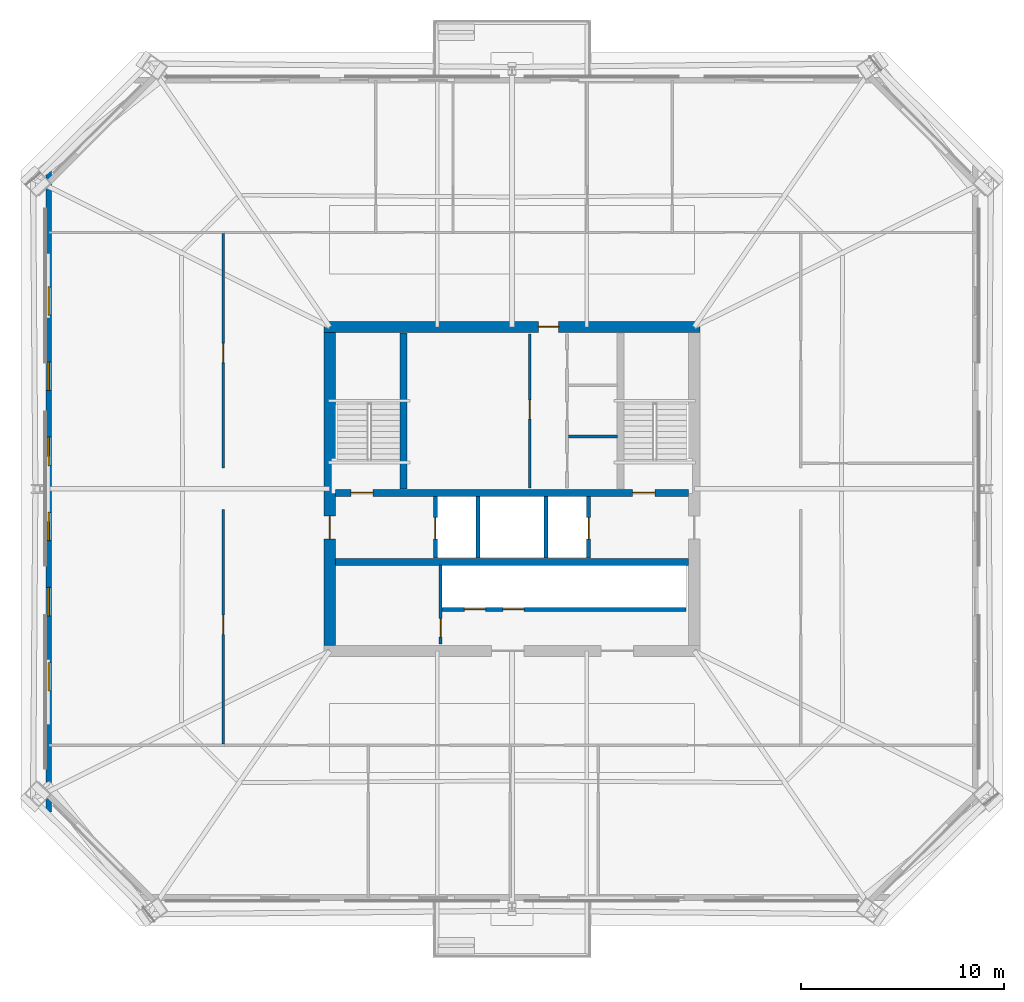
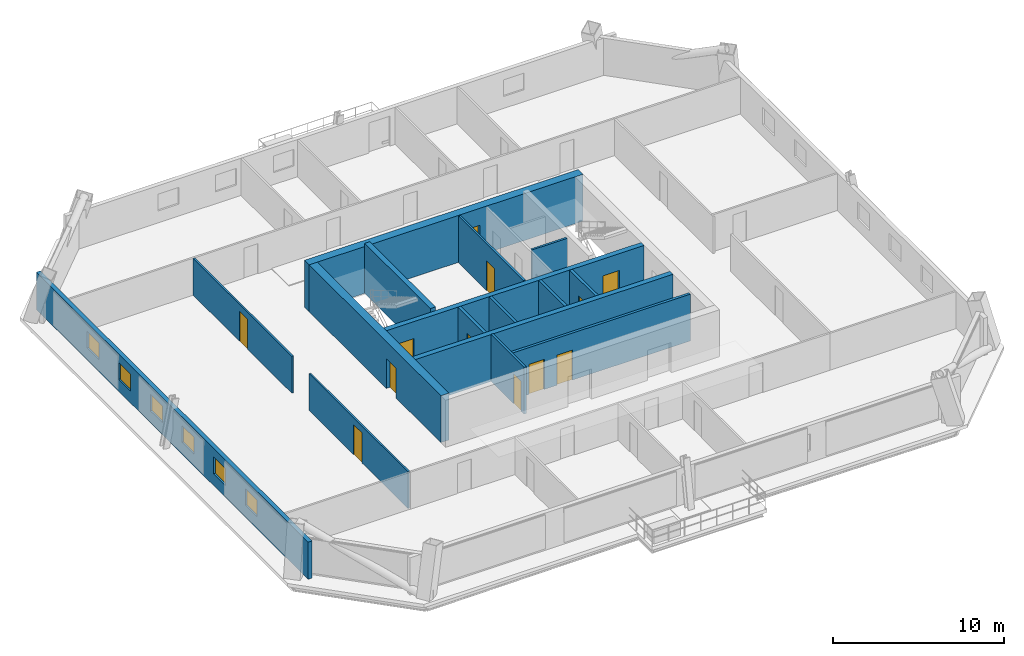
# One storey, part 3 of 7: 16 walls, 12 doors, 6 windows, 18 openings.
"""IFC4 building model written with IfcOpenShell, lengths in metres."""

from ifc_helpers import new_model, si_unit, direction, frame, frame_2d, origin, place, context, subcontext, project, spatial, rectangle, extrude, material, layer, layer_set, type_object, element, fill, save


model = new_model("IFC4")

# Units and contexts
model_context = context("Model", 3, precision=1e-05, world=origin(), true_north=direction((0.0, 1.0)))
body_context = subcontext(model_context, "Body", "Model", "MODEL_VIEW")
ifc_project = project(units=[si_unit("LENGTHUNIT", "METRE"), si_unit("AREAUNIT", "SQUARE_METRE"), si_unit("VOLUMEUNIT", "CUBIC_METRE"), si_unit("PLANEANGLEUNIT", "RADIAN"), si_unit("MASSUNIT", "GRAM", prefix="KILO")], contexts=[model_context])

# Site, building, storey
site_placement = place(None, origin())
site = spatial("IfcSite", under=ifc_project, at=site_placement, CompositionType="ELEMENT")
building_placement = place(site_placement, origin())
building = spatial("IfcBuilding", under=site, at=building_placement, Name="Caelvoria Tower", CompositionType="ELEMENT")
storey_placement = place(building_placement, frame((0.0, 0.0, 113.199951171875)))
storey = spatial("IfcBuildingStorey", under=building, at=storey_placement, Name="L29", CompositionType="ELEMENT", Elevation=113.199951171875)

# Wall, openings, doors
ifc_material_1 = material(Name="Concrete C50/60", Category="concrete")
ifc_layer_1 = layer(ifc_material_1, 0.35009765625, Name="Concrete C50/60")
ifc_layer_set_1 = layer_set([ifc_layer_1], Name="Core Internal Shear Wall 350 - Concrete C50/60")
wall_type_1 = type_object("IfcWallType", Name="Core Internal Shear Wall 350", PredefinedType="SHEAR", material=ifc_layer_set_1)
wall_1_placement = place(storey_placement, frame((37.27490234375, 31.800048828125, 0.0), z_axis=(0.0, 0.0, 1.0), x_axis=(1.0, 0.0, 0.0)))
wall_1 = element("IfcWall", 1, at=wall_1_placement, inside=storey, type_object=wall_type_1, Name="Core Shear Wall L29 M1", PredefinedType="SHEAR", context=body_context, shape_type="SweptSolid", body=[
    extrude(rectangle(XDim=17.4501953125, YDim=0.35009765625, at=frame_2d((8.72509765625, 0.0))), origin(), (0.0, 0.0, 1.0), 3.360107421875),
])
opening_1_placement = place(wall_1_placement, frame((0.77490234375, 0.0, 0.0)))
opening_1 = element("IfcOpeningElement", 2, at=opening_1_placement, cuts=wall_1, Name="Opening ID-01", PredefinedType="OPENING", context=body_context, shape_type="SweptSolid", body=[
    extrude(rectangle(XDim=1.10009765625, YDim=2.14990234375, at=frame_2d((0.550048828125, 1.074951171875))), frame((0.0, 0.18505859375, 0.0), z_axis=(0.0, -1.0, 0.0), x_axis=(1.0, 0.0, 0.0)), (0.0, 0.0, 1.0), 0.3701171875),
])
opening_2_placement = place(wall_1_placement, frame((14.675048828125, 0.0, 0.0)))
opening_2 = element("IfcOpeningElement", 3, at=opening_2_placement, cuts=wall_1, Name="Opening ID-01", PredefinedType="OPENING", context=body_context, shape_type="SweptSolid", body=[
    extrude(rectangle(XDim=1.10009765625, YDim=2.14990234375, at=frame_2d((0.550048828125, 1.074951171875))), frame((0.0, 0.18505859375, 0.0), z_axis=(0.0, -1.0, 0.0), x_axis=(1.0, 0.0, 0.0)), (0.0, 0.0, 1.0), 0.3701171875),
])
ifc_material_2 = material(Name="Painted Hollow Steel Fire Door", Category="steel")
door_type_1 = type_object("IfcDoorType", Name="Fire Door FD90S 1100x2150", OperationType="NOTDEFINED", PredefinedType="DOOR", material=ifc_material_2)
door_1_placement = place(opening_1_placement, origin())
door_1 = element("IfcDoor", 4, at=door_1_placement, inside=storey, type_object=door_type_1, Name="Core Door DR-L29-ST1", OperationType="SINGLE_SWING_LEFT", OverallHeight=2.14990234375, OverallWidth=1.10009765625, PredefinedType="DOOR", context=body_context, shape_type="SweptSolid", body=[
    extrude(rectangle(XDim=1.10009765625, YDim=2.14990234375, at=frame_2d((0.550048828125, 1.074951171875))), frame((0.0, 0.02490234375, 0.0), z_axis=(0.0, -1.0, 0.0), x_axis=(1.0, 0.0, 0.0)), (0.0, 0.0, 1.0), 0.050048828125),
])
fill(opening_1, door_1)
door_2_placement = place(opening_2_placement, origin())
door_2 = element("IfcDoor", 5, at=door_2_placement, inside=storey, type_object=door_type_1, Name="Core Door DR-L29-ST2", OperationType="SINGLE_SWING_RIGHT", OverallHeight=2.14990234375, OverallWidth=1.10009765625, PredefinedType="DOOR", context=body_context, shape_type="SweptSolid", body=[
    extrude(rectangle(XDim=1.10009765625, YDim=2.14990234375, at=frame_2d((0.550048828125, 1.074951171875))), frame((0.0, 0.02490234375, 0.0), z_axis=(0.0, -1.0, 0.0), x_axis=(1.0, 0.0, 0.0)), (0.0, 0.0, 1.0), 0.050048828125),
])
fill(opening_2, door_2)

# Walls
wall_2_placement = place(storey_placement, frame((37.27490234375, 28.39990234375, 0.0), z_axis=(0.0, 0.0, 1.0), x_axis=(1.0, 0.0, 0.0)))
element("IfcWall", 6, at=wall_2_placement, inside=storey, type_object=wall_type_1, Name="Core Shear Wall L29 M2", PredefinedType="SHEAR", context=body_context, shape_type="SweptSolid", body=[
    extrude(rectangle(XDim=17.4501953125, YDim=0.35009765625, at=frame_2d((8.72509765625, 0.0))), origin(), (0.0, 0.0, 1.0), 3.360107421875),
])
wall_3_placement = place(storey_placement, frame((40.64990234375, 32.0, 0.0), z_axis=(0.0, 0.0, 1.0), x_axis=(0.0, 1.0, 0.0)))
element("IfcWall", 7, at=wall_3_placement, inside=storey, type_object=wall_type_1, Name="Interior Partition IW-L29-ST1E", PredefinedType="SHEAR", context=body_context, shape_type="SweptSolid", body=[
    extrude(rectangle(XDim=7.699951171875, YDim=0.35009765625, at=frame_2d((3.85009765625, 0.0))), origin(), (0.0, 0.0, 1.0), 3.60009765625),
])

# Wall, opening, door
ifc_material_3 = material(Name="Moisture-Resistant Gypsum on Steel Stud", Category="steel")
ifc_layer_2 = layer(ifc_material_3, 0.139892578125, Name="Moisture-Resistant Gypsum on Steel Stud")
ifc_layer_set_2 = layer_set([ifc_layer_2], Name="Core Sanitary Acoustic Partition Wall 140 - Moisture-Resistant Gypsum on Steel Stud")
wall_type_2 = type_object("IfcWallType", Name="Core Sanitary Acoustic Partition Wall 140", PredefinedType="PARTITIONING", material=ifc_layer_set_2)
wall_4_placement = place(storey_placement, frame((46.8798828125, 32.050048828125, 0.0), z_axis=(0.0, 0.0, 1.0), x_axis=(0.0, 1.0, 0.0)))
wall_4 = element("IfcWall", 8, at=wall_4_placement, inside=storey, type_object=wall_type_2, Name="Interior Partition IW-L29-C2L", PredefinedType="PARTITIONING", context=body_context, shape_type="SweptSolid", body=[
    extrude(rectangle(XDim=7.599853515625, YDim=0.139892578125, at=frame_2d((3.7998046875, 0.0))), origin(), (0.0, 0.0, 1.0), 3.360107421875),
])
opening_3_placement = place(wall_4_placement, frame((3.39990234375, 0.0, 0.0)))
opening_3 = element("IfcOpeningElement", 9, at=opening_3_placement, cuts=wall_4, Name="Opening ID-05", PredefinedType="OPENING", context=body_context, shape_type="SweptSolid", body=[
    extrude(rectangle(XDim=0.949951171875, YDim=2.14990234375, at=frame_2d((0.47509765625, 1.074951171875))), frame((0.0, 0.079833984375, 0.0), z_axis=(0.0, -1.0, 0.0), x_axis=(1.0, 0.0, 0.0)), (0.0, 0.0, 1.0), 0.159912109375),
])
ifc_material_4 = material(Name="Engineered Andean Oak Veneer Door", Category="wood")
door_type_2 = type_object("IfcDoorType", Name="Interior Timber Door 950x2150", OperationType="NOTDEFINED", PredefinedType="DOOR", material=ifc_material_4)
door_3_placement = place(opening_3_placement, origin())
door_3 = element("IfcDoor", 10, at=door_3_placement, inside=storey, type_object=door_type_2, Name="Interior Door DR-L29-C2W", OperationType="SINGLE_SWING_LEFT", OverallHeight=2.14990234375, OverallWidth=0.949951171875, PredefinedType="DOOR", context=body_context, shape_type="SweptSolid", body=[
    extrude(rectangle(XDim=0.949951171875, YDim=2.14990234375, at=frame_2d((0.47509765625, 1.074951171875))), frame((0.0, 0.02490234375, 0.0), z_axis=(0.0, -1.0, 0.0), x_axis=(1.0, 0.0, 0.0)), (0.0, 0.0, 1.0), 0.050048828125),
])
fill(opening_3, door_3)

# Wall
wall_5_placement = place(storey_placement, frame((48.800048828125, 34.580078125, 0.0), z_axis=(0.0, 0.0, 1.0), x_axis=(1.0, 0.0, 0.0)))
element("IfcWall", 11, at=wall_5_placement, inside=storey, type_object=wall_type_2, Name="Interior Partition IW-L29-C2H1", PredefinedType="PARTITIONING", context=body_context, shape_type="SweptSolid", body=[
    extrude(rectangle(XDim=2.39990234375, YDim=0.139892578125, at=frame_2d((1.199951171875, 0.0))), origin(), (0.0, 0.0, 1.0), 3.360107421875),
])

# Wall, opening, door
ifc_material_5 = material(Name="Double Gypsum Board on Steel Stud", Category="steel")
ifc_layer_3 = layer(ifc_material_5, 0.14990234375, Name="Double Gypsum Board on Steel Stud")
ifc_layer_set_3 = layer_set([ifc_layer_3], Name="Core Service Acoustic Partition Wall 150 - Double Gypsum Board on Steel Stud")
wall_type_3 = type_object("IfcWallType", Name="Core Service Acoustic Partition Wall 150", PredefinedType="PARTITIONING", material=ifc_layer_set_3)
wall_6_placement = place(storey_placement, frame((42.47998046875, 24.35009765625, 0.0), z_axis=(0.0, 0.0, 1.0), x_axis=(0.0, 1.0, 0.0)))
wall_6 = element("IfcWall", 12, at=wall_6_placement, inside=storey, type_object=wall_type_3, Name="Interior Partition IW-L29-RECL1E", PredefinedType="PARTITIONING", context=body_context, shape_type="SweptSolid", body=[
    extrude(rectangle(XDim=3.89990234375, YDim=0.14990234375, at=frame_2d((1.949951171875, 0.0))), origin(), (0.0, 0.0, 1.0), 3.360107421875),
])
opening_4_placement = place(wall_6_placement, frame((0.35009765625, 0.0, 0.0)))
opening_4 = element("IfcOpeningElement", 13, at=opening_4_placement, cuts=wall_6, Name="Opening ID-04", PredefinedType="OPENING", context=body_context, shape_type="SweptSolid", body=[
    extrude(rectangle(XDim=0.89990234375, YDim=2.14990234375, at=frame_2d((0.449951171875, 1.074951171875))), frame((0.0, 0.0849609375, 0.0), z_axis=(0.0, -1.0, 0.0), x_axis=(1.0, 0.0, 0.0)), (0.0, 0.0, 1.0), 0.169921875),
])
ifc_material_6 = material(Name="Acoustic Timber Fire Door", Category="wood")
door_type_3 = type_object("IfcDoorType", Name="Fire Door FD30S 900x2150", OperationType="NOTDEFINED", PredefinedType="DOOR", material=ifc_material_6)
door_4_placement = place(opening_4_placement, origin())
door_4 = element("IfcDoor", 14, at=door_4_placement, inside=storey, type_object=door_type_3, Name="Interior Door DR-L29-RECL1", OperationType="SINGLE_SWING_LEFT", OverallHeight=2.14990234375, OverallWidth=0.89990234375, PredefinedType="DOOR", context=body_context, shape_type="SweptSolid", body=[
    extrude(rectangle(XDim=0.89990234375, YDim=2.14990234375, at=frame_2d((0.449951171875, 1.074951171875))), frame((0.0, 0.02490234375, 0.0), z_axis=(0.0, -1.0, 0.0), x_axis=(1.0, 0.0, 0.0)), (0.0, 0.0, 1.0), 0.050048828125),
])
fill(opening_4, door_4)

# Wall, openings, windows
ifc_material_7 = material(Name="Precast Concrete C40/50 with Bronze Cladding", Category="concrete")
ifc_layer_4 = layer(ifc_material_7, 0.280029296875, Name="Precast Concrete C40/50 with Bronze Cladding")
ifc_layer_set_4 = layer_set([ifc_layer_4], Name="Exterior Precast Concrete C40/50 Bronze-Clad Facade Wall 280 - Precast Concrete C40/50 with Bronze Cladding")
wall_type_4 = type_object("IfcWallType", Name="Exterior Precast Concrete C40/50 Bronze-Clad Facade Wall 280", PredefinedType="STANDARD", material=ifc_layer_set_4)
wall_7_placement = place(storey_placement, frame((23.1298828125, 47.93994140625, 0.0), z_axis=(0.0, 0.0, 1.0), x_axis=(0.0, -1.0, 0.0)))
wall_7 = element("IfcWall", 15, at=wall_7_placement, inside=storey, type_object=wall_type_4, Name="Exterior Facade Wall L29-E6", PredefinedType="STANDARD", context=body_context, shape_type="SweptSolid", body=[
    extrude(rectangle(XDim=31.8798828125, YDim=0.280029296875, at=frame_2d((15.93994140625, 0.0))), origin(), (0.0, 0.0, 1.0), 2.662109375),
])
opening_5_placement = place(wall_7_placement, frame((5.965087890625, 0.0, 0.85009765625)))
opening_5 = element("IfcOpeningElement", 16, at=opening_5_placement, cuts=wall_7, Name="Opening WN-06", PredefinedType="OPENING", context=body_context, shape_type="SweptSolid", body=[
    extrude(rectangle(XDim=1.39990234375, YDim=1.199951171875, at=frame_2d((0.699951171875, 0.60009765625))), frame((0.0, 0.14990234375, 0.0), z_axis=(0.0, -1.0, 0.0), x_axis=(1.0, 0.0, 0.0)), (0.0, 0.0, 1.0), 0.300048828125),
])
opening_6_placement = place(wall_7_placement, frame((9.675048828125, 0.0, 0.85009765625)))
opening_6 = element("IfcOpeningElement", 17, at=opening_6_placement, cuts=wall_7, Name="Opening WN-06", PredefinedType="OPENING", context=body_context, shape_type="SweptSolid", body=[
    extrude(rectangle(XDim=1.39990234375, YDim=1.199951171875, at=frame_2d((0.699951171875, 0.60009765625))), frame((0.0, 0.14990234375, 0.0), z_axis=(0.0, -1.0, 0.0), x_axis=(1.0, 0.0, 0.0)), (0.0, 0.0, 1.0), 0.300048828125),
])
opening_7_placement = place(wall_7_placement, frame((13.385009765625, 0.0, 0.85009765625)))
opening_7 = element("IfcOpeningElement", 18, at=opening_7_placement, cuts=wall_7, Name="Opening WN-06", PredefinedType="OPENING", context=body_context, shape_type="SweptSolid", body=[
    extrude(rectangle(XDim=1.39990234375, YDim=1.199951171875, at=frame_2d((0.699951171875, 0.60009765625))), frame((0.0, 0.14990234375, 0.0), z_axis=(0.0, -1.0, 0.0), x_axis=(1.0, 0.0, 0.0)), (0.0, 0.0, 1.0), 0.300048828125),
])
opening_8_placement = place(wall_7_placement, frame((17.094970703125, 0.0, 0.85009765625)))
opening_8 = element("IfcOpeningElement", 19, at=opening_8_placement, cuts=wall_7, Name="Opening WN-06", PredefinedType="OPENING", context=body_context, shape_type="SweptSolid", body=[
    extrude(rectangle(XDim=1.39990234375, YDim=1.199951171875, at=frame_2d((0.699951171875, 0.60009765625))), frame((0.0, 0.14990234375, 0.0), z_axis=(0.0, -1.0, 0.0), x_axis=(1.0, 0.0, 0.0)), (0.0, 0.0, 1.0), 0.300048828125),
])
opening_9_placement = place(wall_7_placement, frame((20.804931640625, 0.0, 0.85009765625)))
opening_9 = element("IfcOpeningElement", 20, at=opening_9_placement, cuts=wall_7, Name="Opening WN-06", PredefinedType="OPENING", context=body_context, shape_type="SweptSolid", body=[
    extrude(rectangle(XDim=1.39990234375, YDim=1.199951171875, at=frame_2d((0.699951171875, 0.60009765625))), frame((0.0, 0.14990234375, 0.0), z_axis=(0.0, -1.0, 0.0), x_axis=(1.0, 0.0, 0.0)), (0.0, 0.0, 1.0), 0.300048828125),
])
opening_10_placement = place(wall_7_placement, frame((24.514892578125, 0.0, 0.85009765625)))
opening_10 = element("IfcOpeningElement", 21, at=opening_10_placement, cuts=wall_7, Name="Opening WN-06", PredefinedType="OPENING", context=body_context, shape_type="SweptSolid", body=[
    extrude(rectangle(XDim=1.39990234375, YDim=1.199951171875, at=frame_2d((0.699951171875, 0.60009765625))), frame((0.0, 0.14990234375, 0.0), z_axis=(0.0, -1.0, 0.0), x_axis=(1.0, 0.0, 0.0)), (0.0, 0.0, 1.0), 0.300048828125),
])
ifc_material_8 = material(Name="Low-E Tinted Glass in Bronze Aluminium Frame", Category="aluminium")
window_type = type_object("IfcWindowType", Name="Podium Clerestory Window 1400x1200", PartitioningType="SINGLE_PANEL", PredefinedType="WINDOW", material=ifc_material_8)
window_1_placement = place(opening_5_placement, origin())
window_1 = element("IfcWindow", 22, at=window_1_placement, inside=storey, type_object=window_type, Name="Facade Window L29-E6-01", OverallHeight=1.199951171875, OverallWidth=1.39990234375, PartitioningType="SINGLE_PANEL", PredefinedType="WINDOW", context=body_context, shape_type="SweptSolid", body=[
    extrude(rectangle(XDim=1.39990234375, YDim=1.199951171875, at=frame_2d((0.699951171875, 0.60009765625))), frame((0.0, 0.030029296875, 0.0), z_axis=(0.0, -1.0, 0.0), x_axis=(1.0, 0.0, 0.0)), (0.0, 0.0, 1.0), 0.06005859375),
])
fill(opening_5, window_1)
window_2_placement = place(opening_6_placement, origin())
window_2 = element("IfcWindow", 23, at=window_2_placement, inside=storey, type_object=window_type, Name="Facade Window L29-E6-02", OverallHeight=1.199951171875, OverallWidth=1.39990234375, PartitioningType="SINGLE_PANEL", PredefinedType="WINDOW", context=body_context, shape_type="SweptSolid", body=[
    extrude(rectangle(XDim=1.39990234375, YDim=1.199951171875, at=frame_2d((0.699951171875, 0.60009765625))), frame((0.0, 0.030029296875, 0.0), z_axis=(0.0, -1.0, 0.0), x_axis=(1.0, 0.0, 0.0)), (0.0, 0.0, 1.0), 0.06005859375),
])
fill(opening_6, window_2)
window_3_placement = place(opening_7_placement, origin())
window_3 = element("IfcWindow", 24, at=window_3_placement, inside=storey, type_object=window_type, Name="Facade Window L29-E6-03", OverallHeight=1.199951171875, OverallWidth=1.39990234375, PartitioningType="SINGLE_PANEL", PredefinedType="WINDOW", context=body_context, shape_type="SweptSolid", body=[
    extrude(rectangle(XDim=1.39990234375, YDim=1.199951171875, at=frame_2d((0.699951171875, 0.60009765625))), frame((0.0, 0.030029296875, 0.0), z_axis=(0.0, -1.0, 0.0), x_axis=(1.0, 0.0, 0.0)), (0.0, 0.0, 1.0), 0.06005859375),
])
fill(opening_7, window_3)
window_4_placement = place(opening_8_placement, origin())
window_4 = element("IfcWindow", 25, at=window_4_placement, inside=storey, type_object=window_type, Name="Facade Window L29-E6-04", OverallHeight=1.199951171875, OverallWidth=1.39990234375, PartitioningType="SINGLE_PANEL", PredefinedType="WINDOW", context=body_context, shape_type="SweptSolid", body=[
    extrude(rectangle(XDim=1.39990234375, YDim=1.199951171875, at=frame_2d((0.699951171875, 0.60009765625))), frame((0.0, 0.030029296875, 0.0), z_axis=(0.0, -1.0, 0.0), x_axis=(1.0, 0.0, 0.0)), (0.0, 0.0, 1.0), 0.06005859375),
])
fill(opening_8, window_4)
window_5_placement = place(opening_9_placement, origin())
window_5 = element("IfcWindow", 26, at=window_5_placement, inside=storey, type_object=window_type, Name="Facade Window L29-E6-05", OverallHeight=1.199951171875, OverallWidth=1.39990234375, PartitioningType="SINGLE_PANEL", PredefinedType="WINDOW", context=body_context, shape_type="SweptSolid", body=[
    extrude(rectangle(XDim=1.39990234375, YDim=1.199951171875, at=frame_2d((0.699951171875, 0.60009765625))), frame((0.0, 0.030029296875, 0.0), z_axis=(0.0, -1.0, 0.0), x_axis=(1.0, 0.0, 0.0)), (0.0, 0.0, 1.0), 0.06005859375),
])
fill(opening_9, window_5)
window_6_placement = place(opening_10_placement, origin())
window_6 = element("IfcWindow", 27, at=window_6_placement, inside=storey, type_object=window_type, Name="Facade Window L29-E6-06", OverallHeight=1.199951171875, OverallWidth=1.39990234375, PartitioningType="SINGLE_PANEL", PredefinedType="WINDOW", context=body_context, shape_type="SweptSolid", body=[
    extrude(rectangle(XDim=1.39990234375, YDim=1.199951171875, at=frame_2d((0.699951171875, 0.60009765625))), frame((0.0, 0.030029296875, 0.0), z_axis=(0.0, -1.0, 0.0), x_axis=(1.0, 0.0, 0.0)), (0.0, 0.0, 1.0), 0.06005859375),
])
fill(opening_10, window_6)

# Walls
ifc_material_9 = material(Name="Concrete Block and Fireboard Assembly", Category="concrete")
ifc_layer_5 = layer(ifc_material_9, 0.179931640625, Name="Concrete Block and Fireboard Assembly")
ifc_layer_set_5 = layer_set([ifc_layer_5], Name="Fire-Rated Hoistway Partition Wall 180 - Concrete Block and Fireboard Assembly")
wall_type_5 = type_object("IfcWallType", Name="Fire-Rated Hoistway Partition Wall 180", PredefinedType="PARTITIONING", material=ifc_layer_set_5)
for number, where, z_axis, x_axis, name in (
    (28, (44.320068359375, 28.580078125, 0.0), (0.0, 0.0, 1.0), (0.0, 1.0, 0.0), "Interior Partition IW-L29-SV1W"),
    (29, (47.679931640625, 28.580078125, 0.0), (0.0, 0.0, 1.0), (0.0, 1.0, 0.0), "Interior Partition IW-L29-SV1E"),
):
    element("IfcWall", number, at=place(storey_placement, frame(where, z_axis=z_axis, x_axis=x_axis)), inside=storey, type_object=wall_type_5, Name=name, PredefinedType="PARTITIONING", context=body_context, shape_type="SweptSolid", body=[
        extrude(rectangle(XDim=3.0400390625, YDim=0.179931640625, at=frame_2d((1.52001953125, 0.0))), origin(), (0.0, 0.0, 1.0), 3.360107421875),
    ])

# Wall, openings, doors
wall_8_placement = place(storey_placement, frame((42.550048828125, 26.050048828125, 0.0), z_axis=(0.0, 0.0, 1.0), x_axis=(1.0, 0.0, 0.0)))
wall_8 = element("IfcWall", 30, at=wall_8_placement, inside=storey, type_object=wall_type_5, Name="Interior Partition IW-L29-LFRONT", PredefinedType="PARTITIONING", context=body_context, shape_type="SweptSolid", body=[
    extrude(rectangle(XDim=12.050048828125, YDim=0.179931640625, at=frame_2d((6.02490234375, 0.0))), origin(), (0.0, 0.0, 1.0), 3.360107421875),
])
opening_11_placement = place(wall_8_placement, frame((1.10009765625, 0.0, 0.0)))
opening_11 = element("IfcOpeningElement", 31, at=opening_11_placement, cuts=wall_8, Name="Opening LD-01", PredefinedType="OPENING", context=body_context, shape_type="SweptSolid", body=[
    extrude(rectangle(XDim=1.050048828125, YDim=2.14990234375, at=frame_2d((0.52490234375, 1.074951171875))), frame((0.0, 0.099853515625, 0.0), z_axis=(0.0, -1.0, 0.0), x_axis=(1.0, 0.0, 0.0)), (0.0, 0.0, 1.0), 0.199951171875),
])
opening_12_placement = place(wall_8_placement, frame((3.0, 0.0, 0.0)))
opening_12 = element("IfcOpeningElement", 32, at=opening_12_placement, cuts=wall_8, Name="Opening LD-01", PredefinedType="OPENING", context=body_context, shape_type="SweptSolid", body=[
    extrude(rectangle(XDim=1.050048828125, YDim=2.14990234375, at=frame_2d((0.52490234375, 1.074951171875))), frame((0.0, 0.099853515625, 0.0), z_axis=(0.0, -1.0, 0.0), x_axis=(1.0, 0.0, 0.0)), (0.0, 0.0, 1.0), 0.199951171875),
])
ifc_material_10 = material(Name="Brushed Bronze Stainless Sliding Landing Door", Category="aluminium")
door_type_4 = type_object("IfcDoorType", Name="Lift Landing Sliding Door 1100x2150", OperationType="NOTDEFINED", PredefinedType="DOOR", material=ifc_material_10)
door_5_placement = place(opening_11_placement, origin())
door_5 = element("IfcDoor", 33, at=door_5_placement, inside=storey, type_object=door_type_4, Name="Interior Door LD-L29-PM1", OperationType="SLIDING_TO_LEFT", OverallHeight=2.14990234375, OverallWidth=1.050048828125, PredefinedType="DOOR", context=body_context, shape_type="SweptSolid", body=[
    extrude(rectangle(XDim=1.050048828125, YDim=2.14990234375, at=frame_2d((0.52490234375, 1.074951171875))), frame((0.0, 0.02490234375, 0.0), z_axis=(0.0, -1.0, 0.0), x_axis=(1.0, 0.0, 0.0)), (0.0, 0.0, 1.0), 0.050048828125),
])
fill(opening_11, door_5)
door_6_placement = place(opening_12_placement, origin())
door_6 = element("IfcDoor", 34, at=door_6_placement, inside=storey, type_object=door_type_4, Name="Interior Door LD-L29-PM2", OperationType="SLIDING_TO_RIGHT", OverallHeight=2.14990234375, OverallWidth=1.050048828125, PredefinedType="DOOR", context=body_context, shape_type="SweptSolid", body=[
    extrude(rectangle(XDim=1.050048828125, YDim=2.14990234375, at=frame_2d((0.52490234375, 1.074951171875))), frame((0.0, 0.02490234375, 0.0), z_axis=(0.0, -1.0, 0.0), x_axis=(1.0, 0.0, 0.0)), (0.0, 0.0, 1.0), 0.050048828125),
])
fill(opening_12, door_6)

# Wall, opening, door
ifc_layer_6 = layer(ifc_material_9, 0.199951171875, Name="Concrete Block and Fireboard Assembly")
ifc_layer_set_6 = layer_set([ifc_layer_6], Name="Fire-Rated Shaft and Core Partition Wall 200 - Concrete Block and Fireboard Assembly")
wall_type_6 = type_object("IfcWallType", Name="Fire-Rated Shaft and Core Partition Wall 200", PredefinedType="PARTITIONING", material=ifc_layer_set_6)
wall_9_placement = place(storey_placement, frame((42.219970703125, 28.580078125, 0.0), z_axis=(0.0, 0.0, 1.0), x_axis=(0.0, 1.0, 0.0)))
wall_9 = element("IfcWall", 35, at=wall_9_placement, inside=storey, type_object=wall_type_6, Name="Interior Partition IW-L29-LF1W", PredefinedType="PARTITIONING", context=body_context, shape_type="SweptSolid", body=[
    extrude(rectangle(XDim=3.0400390625, YDim=0.199951171875, at=frame_2d((1.52001953125, 0.0))), origin(), (0.0, 0.0, 1.0), 3.360107421875),
])
opening_13_placement = place(wall_9_placement, frame((0.949951171875, 0.0, 0.0)))
opening_13 = element("IfcOpeningElement", 36, at=opening_13_placement, cuts=wall_9, Name="Opening LD-01", PredefinedType="OPENING", context=body_context, shape_type="SweptSolid", body=[
    extrude(rectangle(XDim=1.050048828125, YDim=2.14990234375, at=frame_2d((0.52490234375, 1.074951171875))), frame((0.0, 0.10986328125, 0.0), z_axis=(0.0, -1.0, 0.0), x_axis=(1.0, 0.0, 0.0)), (0.0, 0.0, 1.0), 0.219970703125),
])
door_7_placement = place(opening_13_placement, origin())
door_7 = element("IfcDoor", 37, at=door_7_placement, inside=storey, type_object=door_type_4, Name="Interior Door LD-L29-LF1", OperationType="SLIDING_TO_LEFT", OverallHeight=2.14990234375, OverallWidth=1.050048828125, PredefinedType="DOOR", context=body_context, shape_type="SweptSolid", body=[
    extrude(rectangle(XDim=1.050048828125, YDim=2.14990234375, at=frame_2d((0.52490234375, 1.074951171875))), frame((0.0, 0.02490234375, 0.0), z_axis=(0.0, -1.0, 0.0), x_axis=(1.0, 0.0, 0.0)), (0.0, 0.0, 1.0), 0.050048828125),
])
fill(opening_13, door_7)

wall_10_placement = place(storey_placement, frame((49.780029296875, 28.580078125, 0.0), z_axis=(0.0, 0.0, 1.0), x_axis=(0.0, 1.0, 0.0)))
wall_10 = element("IfcWall", 38, at=wall_10_placement, inside=storey, type_object=wall_type_6, Name="Interior Partition IW-L29-LF2E", PredefinedType="PARTITIONING", context=body_context, shape_type="SweptSolid", body=[
    extrude(rectangle(XDim=3.0400390625, YDim=0.199951171875, at=frame_2d((1.52001953125, 0.0))), origin(), (0.0, 0.0, 1.0), 3.360107421875),
])
opening_14_placement = place(wall_10_placement, frame((0.949951171875, 0.0, 0.0)))
opening_14 = element("IfcOpeningElement", 39, at=opening_14_placement, cuts=wall_10, Name="Opening LD-01", PredefinedType="OPENING", context=body_context, shape_type="SweptSolid", body=[
    extrude(rectangle(XDim=1.050048828125, YDim=2.14990234375, at=frame_2d((0.52490234375, 1.074951171875))), frame((0.0, 0.10986328125, 0.0), z_axis=(0.0, -1.0, 0.0), x_axis=(1.0, 0.0, 0.0)), (0.0, 0.0, 1.0), 0.219970703125),
])
door_8_placement = place(opening_14_placement, origin())
door_8 = element("IfcDoor", 40, at=door_8_placement, inside=storey, type_object=door_type_4, Name="Interior Door LD-L29-LF2", OperationType="SLIDING_TO_RIGHT", OverallHeight=2.14990234375, OverallWidth=1.050048828125, PredefinedType="DOOR", context=body_context, shape_type="SweptSolid", body=[
    extrude(rectangle(XDim=1.050048828125, YDim=2.14990234375, at=frame_2d((0.52490234375, 1.074951171875))), frame((0.0, 0.02490234375, 0.0), z_axis=(0.0, -1.0, 0.0), x_axis=(1.0, 0.0, 0.0)), (0.0, 0.0, 1.0), 0.050048828125),
])
fill(opening_14, door_8)

ifc_material_11 = material(Name="Concrete C55/67", Category="concrete")
ifc_layer_7 = layer(ifc_material_11, 0.550048828125, Name="Concrete C55/67")
ifc_layer_set_7 = layer_set([ifc_layer_7], Name="Mid Core Shear Wall 550 - Concrete C55/67")
wall_type_7 = type_object("IfcWallType", Name="Mid Core Shear Wall 550", PredefinedType="SHEAR", material=ifc_layer_set_7)
wall_11_placement = place(storey_placement, frame((36.72509765625, 40.0, 0.0), z_axis=(0.0, 0.0, 1.0), x_axis=(1.0, 0.0, 0.0)))
wall_11 = element("IfcWall", 41, at=wall_11_placement, inside=storey, type_object=wall_type_7, Name="Core Shear Wall L29 N", PredefinedType="SHEAR", context=body_context, shape_type="SweptSolid", body=[
    extrude(rectangle(XDim=18.5498046875, YDim=0.550048828125, at=frame_2d((9.27490234375, 0.0))), origin(), (0.0, 0.0, 1.0), 3.360107421875),
])
opening_15_placement = place(wall_11_placement, frame((10.574951171875, 0.0, 0.0)))
opening_15 = element("IfcOpeningElement", 42, at=opening_15_placement, cuts=wall_11, Name="Opening ID-03", PredefinedType="OPENING", context=body_context, shape_type="SweptSolid", body=[
    extrude(rectangle(XDim=1.0, YDim=2.14990234375, at=frame_2d((0.5, 1.074951171875))), frame((0.0, 0.284912109375, 0.0), z_axis=(0.0, -1.0, 0.0), x_axis=(1.0, 0.0, 0.0)), (0.0, 0.0, 1.0), 0.570068359375),
])
door_type_5 = type_object("IfcDoorType", Name="Fire Door FD60S 1000x2150", OperationType="NOTDEFINED", PredefinedType="DOOR", material=ifc_material_2)
door_9_placement = place(opening_15_placement, origin())
door_9 = element("IfcDoor", 43, at=door_9_placement, inside=storey, type_object=door_type_5, Name="Core Door DR-L29-WC-MAIN", OperationType="SINGLE_SWING_RIGHT", OverallHeight=2.14990234375, OverallWidth=1.0, PredefinedType="DOOR", context=body_context, shape_type="SweptSolid", body=[
    extrude(rectangle(XDim=1.0, YDim=2.14990234375, at=frame_2d((0.5, 1.074951171875))), frame((0.0, 0.02490234375, 0.0), z_axis=(0.0, -1.0, 0.0), x_axis=(1.0, 0.0, 0.0)), (0.0, 0.0, 1.0), 0.050048828125),
])
fill(opening_15, door_9)

wall_12_placement = place(storey_placement, frame((37.0, 24.27490234375, 0.0), z_axis=(0.0, 0.0, 1.0), x_axis=(0.0, 1.0, 0.0)))
wall_12 = element("IfcWall", 44, at=wall_12_placement, inside=storey, type_object=wall_type_7, Name="Core Shear Wall L29 W", PredefinedType="SHEAR", context=body_context, shape_type="SweptSolid", body=[
    extrude(rectangle(XDim=15.4501953125, YDim=0.550048828125, at=frame_2d((7.72509765625, 0.0))), origin(), (0.0, 0.0, 1.0), 3.360107421875),
])
opening_16_placement = place(wall_12_placement, frame((5.25, 0.0, 0.0)))
opening_16 = element("IfcOpeningElement", 45, at=opening_16_placement, cuts=wall_12, Name="Opening ID-02", PredefinedType="OPENING", context=body_context, shape_type="SweptSolid", body=[
    extrude(rectangle(XDim=1.14990234375, YDim=2.14990234375, at=frame_2d((0.574951171875, 1.074951171875))), frame((0.0, 0.284912109375, 0.0), z_axis=(0.0, -1.0, 0.0), x_axis=(1.0, 0.0, 0.0)), (0.0, 0.0, 1.0), 0.570068359375),
])
door_type_6 = type_object("IfcDoorType", Name="Fire Door FD60S 1150x2150", OperationType="NOTDEFINED", PredefinedType="DOOR", material=ifc_material_2)
door_10_placement = place(opening_16_placement, origin())
door_10 = element("IfcDoor", 46, at=door_10_placement, inside=storey, type_object=door_type_6, Name="Core Door DR-L29-FFLW-OUT", OperationType="SINGLE_SWING_LEFT", OverallHeight=2.14990234375, OverallWidth=1.14990234375, PredefinedType="DOOR", context=body_context, shape_type="SweptSolid", body=[
    extrude(rectangle(XDim=1.14990234375, YDim=2.14990234375, at=frame_2d((0.574951171875, 1.074951171875))), frame((0.0, 0.02490234375, 0.0), z_axis=(0.0, -1.0, 0.0), x_axis=(1.0, 0.0, 0.0)), (0.0, 0.0, 1.0), 0.050048828125),
])
fill(opening_16, door_10)

ifc_material_12 = material(Name="Acoustic Gypsum Board on Light-Gauge Stud", Category="gypsum")
ifc_layer_8 = layer(ifc_material_12, 0.1201171875, Name="Acoustic Gypsum Board on Light-Gauge Stud")
ifc_layer_set_8 = layer_set([ifc_layer_8], Name="Tenant Suite Acoustic Partition Wall 120 - Acoustic Gypsum Board on Light-Gauge Stud")
wall_type_8 = type_object("IfcWallType", Name="Tenant Suite Acoustic Partition Wall 120", PredefinedType="PARTITIONING", material=ifc_layer_set_8)
wall_13_placement = place(storey_placement, frame((31.739990234375, 19.39990234375, 0.0), z_axis=(0.0, 0.0, 1.0), x_axis=(0.0, 1.0, 0.0)))
wall_13 = element("IfcWall", 47, at=wall_13_placement, inside=storey, type_object=wall_type_8, Name="Interior Partition IW-L29-WCW-0", PredefinedType="PARTITIONING", context=body_context, shape_type="SweptSolid", body=[
    extrude(rectangle(XDim=11.580078125, YDim=0.1201171875, at=frame_2d((5.7900390625, 0.0))), origin(), (0.0, 0.0, 1.0), 2.64013671875),
])
opening_17_placement = place(wall_13_placement, frame((5.4150390625, 0.0, 0.0)))
opening_17 = element("IfcOpeningElement", 48, at=opening_17_placement, cuts=wall_13, Name="Opening ID-05", PredefinedType="OPENING", context=body_context, shape_type="SweptSolid", body=[
    extrude(rectangle(XDim=0.949951171875, YDim=2.14990234375, at=frame_2d((0.47509765625, 1.074951171875))), frame((0.0, 0.070068359375, 0.0), z_axis=(0.0, -1.0, 0.0), x_axis=(1.0, 0.0, 0.0)), (0.0, 0.0, 1.0), 0.14013671875),
])
door_11_placement = place(opening_17_placement, origin())
door_11 = element("IfcDoor", 49, at=door_11_placement, inside=storey, type_object=door_type_2, Name="Interior Door DR-L29-WC-00-0", OperationType="SINGLE_SWING_RIGHT", OverallHeight=2.14990234375, OverallWidth=0.949951171875, PredefinedType="DOOR", context=body_context, shape_type="SweptSolid", body=[
    extrude(rectangle(XDim=0.949951171875, YDim=2.14990234375, at=frame_2d((0.47509765625, 1.074951171875))), frame((0.0, 0.02490234375, 0.0), z_axis=(0.0, -1.0, 0.0), x_axis=(1.0, 0.0, 0.0)), (0.0, 0.0, 1.0), 0.050048828125),
])
fill(opening_17, door_11)

wall_14_placement = place(storey_placement, frame((31.739990234375, 33.02001953125, 0.0), z_axis=(0.0, 0.0, 1.0), x_axis=(0.0, 1.0, 0.0)))
wall_14 = element("IfcWall", 50, at=wall_14_placement, inside=storey, type_object=wall_type_8, Name="Interior Partition IW-L29-WCW-1", PredefinedType="PARTITIONING", context=body_context, shape_type="SweptSolid", body=[
    extrude(rectangle(XDim=11.580078125, YDim=0.1201171875, at=frame_2d((5.7900390625, 0.0))), origin(), (0.0, 0.0, 1.0), 2.64013671875),
])
opening_18_placement = place(wall_14_placement, frame((5.215087890625, 0.0, 0.0)))
opening_18 = element("IfcOpeningElement", 51, at=opening_18_placement, cuts=wall_14, Name="Opening ID-05", PredefinedType="OPENING", context=body_context, shape_type="SweptSolid", body=[
    extrude(rectangle(XDim=0.949951171875, YDim=2.14990234375, at=frame_2d((0.47509765625, 1.074951171875))), frame((0.0, 0.070068359375, 0.0), z_axis=(0.0, -1.0, 0.0), x_axis=(1.0, 0.0, 0.0)), (0.0, 0.0, 1.0), 0.14013671875),
])
door_12_placement = place(opening_18_placement, origin())
door_12 = element("IfcDoor", 52, at=door_12_placement, inside=storey, type_object=door_type_2, Name="Interior Door DR-L29-WC-01-0", OperationType="SINGLE_SWING_LEFT", OverallHeight=2.14990234375, OverallWidth=0.949951171875, PredefinedType="DOOR", context=body_context, shape_type="SweptSolid", body=[
    extrude(rectangle(XDim=0.949951171875, YDim=2.14990234375, at=frame_2d((0.47509765625, 1.074951171875))), frame((0.0, 0.02490234375, 0.0), z_axis=(0.0, -1.0, 0.0), x_axis=(1.0, 0.0, 0.0)), (0.0, 0.0, 1.0), 0.050048828125),
])
fill(opening_18, door_12)

save(model, "model.ifc")
